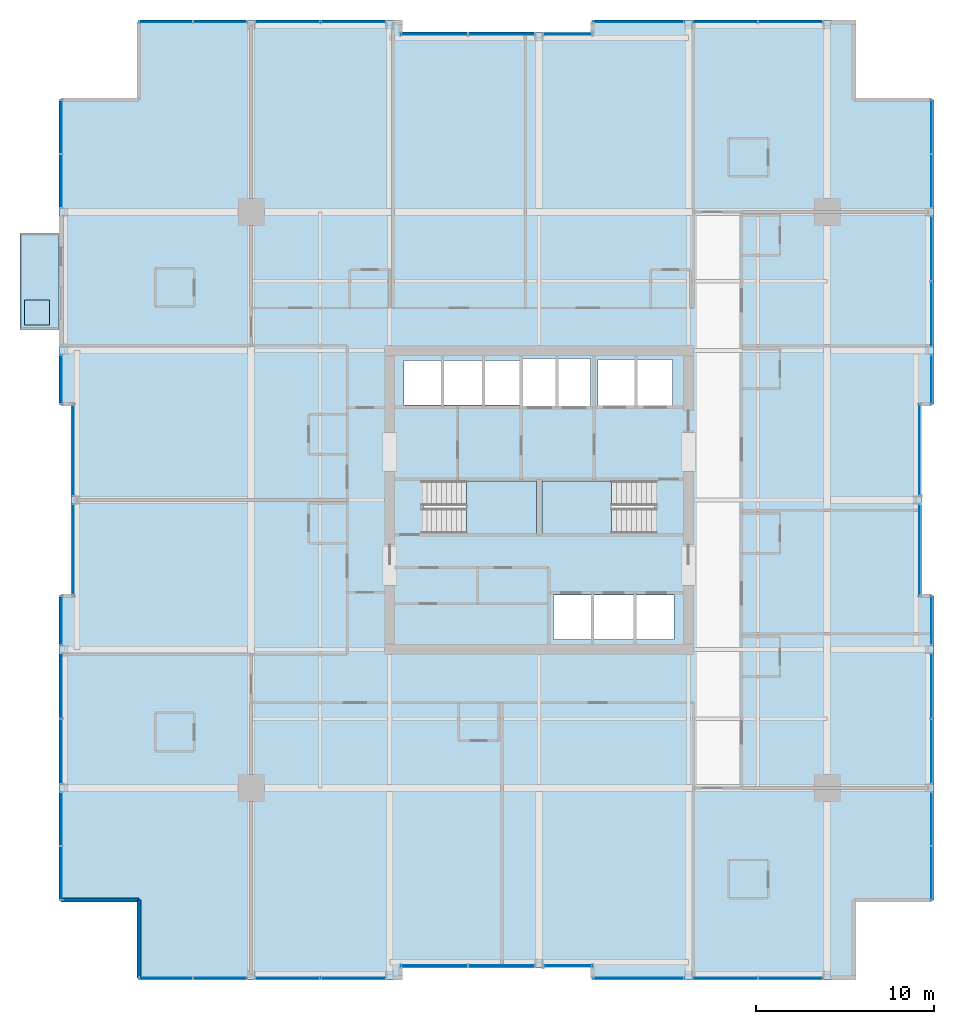
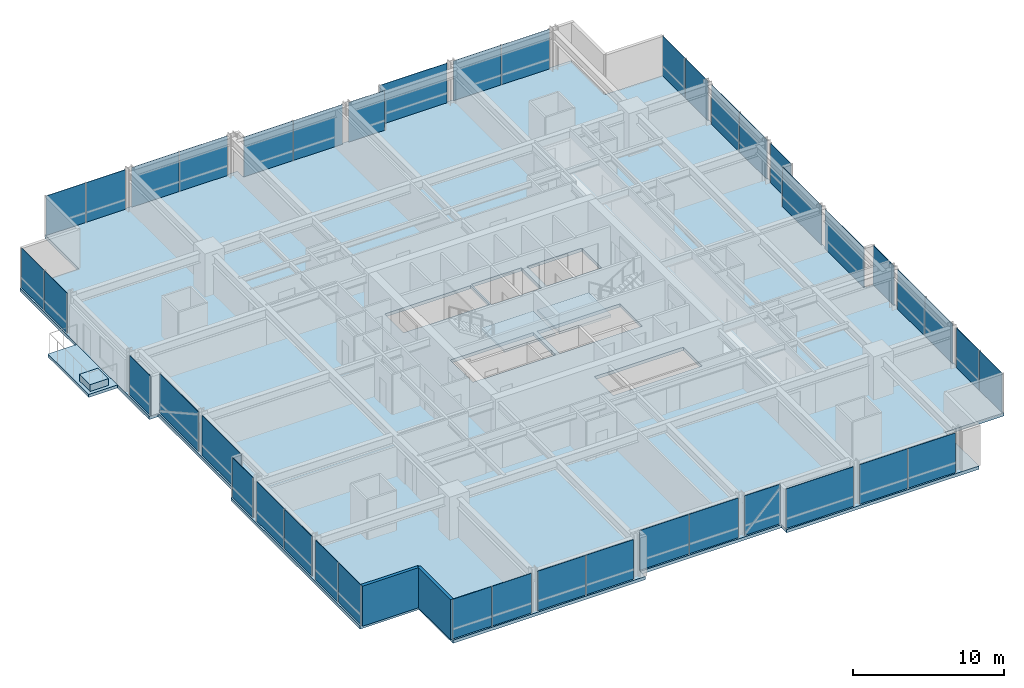
# One storey, part 27 of 34: 42 plates, 5 slabs, 2 walls, 29 elements without a shape of their own.
"""IFC4 building model written with IfcOpenShell, lengths in metres."""

import ifcopenshell
import ifcopenshell.guid

model = None  # the IFC model being written
_history = None  # IfcOwnerHistory: only IFC2X3 demands one
_inside = {}  # id of a spatial element -> (the spatial element, [elements in it])
_under = {}  # id of a project, library or spatial element -> (it, [spatial elements below it])
_declared = {}  # id of a project -> (the project, [libraries it declares])
_typed = {}  # id of a type object -> (the type object, [elements of that type])
_made_of = {}  # id of a material, layer set ... -> (it, [elements and type objects made of it])


def new_model(schema):
    """Start an empty IFC model of exactly this schema.

    Asked for "IFC4X3", IfcOpenShell would pick the latest addendum, in which some entities
    have other attributes; the version numbers below select the first issue.
    IFC2X3 requires an IfcOwnerHistory on every rooted entity: one is made here for all.
    """
    global model, _history
    if schema == "IFC4X3":
        model = ifcopenshell.file(schema_version=(4, 3, 0, 0))
    else:
        model = ifcopenshell.file(schema=schema)
    _inside.clear()
    _under.clear()
    _declared.clear()
    _typed.clear()
    _made_of.clear()
    _history = None
    if model.schema == "IFC2X3":
        org = make("IfcOrganization", Name="unknown")
        user = make(
            "IfcPersonAndOrganization",
            ThePerson=make("IfcPerson", FamilyName="unknown"),
            TheOrganization=org,
        )
        app = make(
            "IfcApplication",
            ApplicationDeveloper=org,
            Version="unknown",
            ApplicationFullName="unknown",
            ApplicationIdentifier="unknown",
        )
        _history = make(
            "IfcOwnerHistory",
            OwningUser=user,
            OwningApplication=app,
            ChangeAction="ADDED",
            CreationDate=0,
        )
    return model


def make(cls, **values):
    """One entity of the class cls with the attributes given. An attribute that is None is left unset."""
    return model.create_entity(
        cls, **{name: value for name, value in values.items() if value is not None}
    )


def rooted(cls, **values):
    """An entity with a GlobalId (a new one), such as an element, a storey or a relation."""
    return make(cls, GlobalId=ifcopenshell.guid.new(), OwnerHistory=_history, **values)


def si_unit(unit_type, name, prefix=None):
    """IfcSIUnit, for example si_unit("LENGTHUNIT", "METRE", prefix="MILLI")."""
    return make("IfcSIUnit", UnitType=unit_type, Prefix=prefix, Name=name)


def assignment(units):
    """IfcUnitAssignment: the units of a project."""
    return None if units is None else make("IfcUnitAssignment", Units=units)


def point(xyz):
    """IfcCartesianPoint."""
    return None if xyz is None else make("IfcCartesianPoint", Coordinates=xyz)


def direction(xyz):
    """IfcDirection."""
    return None if xyz is None else make("IfcDirection", DirectionRatios=xyz)


def frame(location, z_axis=None, x_axis=None):
    """IfcAxis2Placement3D, a coordinate frame: its origin and axes. An axis left out is left unset."""
    return make(
        "IfcAxis2Placement3D",
        Location=point(location),
        Axis=direction(z_axis),
        RefDirection=direction(x_axis),
    )


def frame_2d(location, x_axis=None):
    """IfcAxis2Placement2D, a coordinate frame in the plane: its origin and x axis."""
    return make(
        "IfcAxis2Placement2D", Location=point(location), RefDirection=direction(x_axis)
    )


def origin():
    """The frame at (0, 0, 0) with its axes left unset."""
    return frame((0.0, 0.0, 0.0))


def origin_2d():
    """The frame at (0, 0) in the plane with its x axis left unset."""
    return frame_2d((0.0, 0.0))


def place(relative_to, where):
    """IfcLocalPlacement: puts the frame where relative to a parent placement (None: the world)."""
    return make(
        "IfcLocalPlacement", PlacementRelTo=relative_to, RelativePlacement=where
    )


def context(
    kind, dimensions, precision=None, world=None, true_north=None, identifier=None
):
    """IfcGeometricRepresentationContext, for example the 3D "Model" context."""
    return make(
        "IfcGeometricRepresentationContext",
        ContextIdentifier=identifier,
        ContextType=kind,
        CoordinateSpaceDimension=dimensions,
        Precision=precision,
        WorldCoordinateSystem=world,
        TrueNorth=true_north,
    )


def subcontext(parent, identifier, kind, view, scale=None):
    """IfcGeometricRepresentationSubContext, for example "Body" below "Model"."""
    return make(
        "IfcGeometricRepresentationSubContext",
        ContextIdentifier=identifier,
        ContextType=kind,
        ParentContext=parent,
        TargetScale=scale,
        TargetView=view,
    )


def project(units=None, contexts=None):
    """IfcProject with its units and contexts."""
    return rooted(
        "IfcProject",
        Name="project",
        RepresentationContexts=contexts,
        UnitsInContext=assignment(units),
    )


def spatial(cls, under=None, at=None, **own):
    """A site, building, storey or space (cls), placed at a placement, below another one or the project."""
    s = rooted(cls, ObjectPlacement=at, **own)
    if under is not None:
        _under.setdefault(under.id(), (under, []))[1].append(s)
    return s


def polyline(points):
    """IfcPolyline through the points."""
    return make("IfcPolyline", Points=[point(p) for p in points])


def profile(cls, at=None, kind="AREA", **sizes):
    """A parametric profile (cls). Its sizes go by their IFC names, for example OverallWidth=200.0."""
    return make(cls, ProfileType=kind, Position=at, **sizes)


def rectangle(**sizes):
    """IfcRectangleProfileDef."""
    return profile("IfcRectangleProfileDef", **sizes)


def outline(outer, holes=None, kind="AREA"):
    """IfcArbitraryClosedProfileDef: a profile drawn as a closed curve; with holes, ...WithVoids."""
    if holes is None:
        return make("IfcArbitraryClosedProfileDef", ProfileType=kind, OuterCurve=outer)
    return make(
        "IfcArbitraryProfileDefWithVoids",
        ProfileType=kind,
        OuterCurve=outer,
        InnerCurves=holes,
    )


def extrude(swept, where, along, depth):
    """IfcExtrudedAreaSolid: the profile swept, set in the frame where, extruded along a direction by depth."""
    return make(
        "IfcExtrudedAreaSolid",
        SweptArea=swept,
        Position=where,
        ExtrudedDirection=direction(along),
        Depth=depth,
    )


def shape(context_of_items, identifier, shape_type, items):
    """IfcShapeRepresentation: the items that make up one representation, for example the "Body"."""
    return make(
        "IfcShapeRepresentation",
        ContextOfItems=context_of_items,
        RepresentationIdentifier=identifier,
        RepresentationType=shape_type,
        Items=items,
    )


def material(Name=None, Category=None):
    """IfcMaterial."""
    return make("IfcMaterial", Name=Name, Category=Category)


def layer(
    of_material, thickness, ventilated=None, Name=None, Category=None, Priority=None
):
    """IfcMaterialLayer: one layer of a wall or slab, of a material (None: an air gap)."""
    return make(
        "IfcMaterialLayer",
        Material=of_material,
        LayerThickness=thickness,
        IsVentilated=ventilated,
        Name=Name,
        Category=Category,
        Priority=Priority,
    )


def layer_set(layers, Name=None):
    """IfcMaterialLayerSet."""
    return make("IfcMaterialLayerSet", MaterialLayers=layers, LayerSetName=Name)


def made_of(thing, what):
    """Note that an element or type object is made of a material, layer set ...; save() writes the relation."""
    if what is not None:
        _made_of.setdefault(what.id(), (what, []))[1].append(thing)
    return thing


def type_object(cls, material=None, **own):
    """A type object (cls), such as IfcWallType, which elements share."""
    return made_of(rooted(cls, **own), material)


def element(
    cls,
    number,
    at=None,
    inside=None,
    cuts=None,
    type_object=None,
    material=None,
    context=None,
    identifier="Body",
    shape_type=None,
    held_by="IfcProductDefinitionShape",
    body=None,
    shapes=None,
    **own,
):
    """One element of the class cls, such as IfcWall. Its Tag is "e" and its number.

    at: its placement. inside: the storey or other place that contains it. cuts: it is an
    opening in that element (IfcRelVoidsElement). A single representation is given by context,
    identifier, shape_type and body (its items); several are given by shapes. held_by: the class
    of the entity that holds the representations. save() writes the other relations.
    """
    e = rooted(cls, Tag="e%d" % number, ObjectPlacement=at, **own)
    if body is not None:
        shapes = [shape(context, identifier, shape_type, body)]
    if shapes is not None:
        e.Representation = make(held_by, Representations=shapes)
    if inside is not None:
        _inside.setdefault(inside.id(), (inside, []))[1].append(e)
    if cuts is not None:
        rooted(
            "IfcRelVoidsElement", RelatingBuildingElement=cuts, RelatedOpeningElement=e
        )
    if type_object is not None:
        _typed.setdefault(type_object.id(), (type_object, []))[1].append(e)
    return made_of(e, material)


def aggregate(whole, parts):
    """IfcRelAggregates: a whole, such as a stair, and the parts it consists of."""
    return rooted("IfcRelAggregates", RelatingObject=whole, RelatedObjects=parts)


def save(model, path):
    """Write the relations noted so far, then the file.

    IfcRelAggregates (storeys below a building ...), IfcRelContainedInSpatialStructure (elements
    in a storey), IfcRelDefinesByType, IfcRelAssociatesMaterial and IfcRelDeclares: one each for
    every whole, place, type object, material and project.
    """
    for whole, parts in _under.values():
        aggregate(whole, parts)
    for where, things in _inside.values():
        rooted(
            "IfcRelContainedInSpatialStructure",
            RelatedElements=things,
            RelatingStructure=where,
        )
    for kind, things in _typed.values():
        rooted("IfcRelDefinesByType", RelatedObjects=things, RelatingType=kind)
    for what, things in _made_of.values():
        rooted("IfcRelAssociatesMaterial", RelatedObjects=things, RelatingMaterial=what)
    for by, libraries in _declared.values():
        rooted("IfcRelDeclares", RelatingContext=by, RelatedDefinitions=libraries)
    model.write(path)


model = new_model("IFC4")

# Units and contexts
model_context = context("Model", 3, precision=1e-05, world=origin(), true_north=direction((0.0, 1.0)))
body_context = subcontext(model_context, "Body", "Model", "MODEL_VIEW")
ifc_project = project(units=[si_unit("LENGTHUNIT", "METRE"), si_unit("AREAUNIT", "SQUARE_METRE"), si_unit("VOLUMEUNIT", "CUBIC_METRE"), si_unit("PLANEANGLEUNIT", "RADIAN"), si_unit("MASSUNIT", "GRAM", prefix="KILO")], contexts=[model_context])

# Site, building, storey
site_placement = place(None, origin())
site = spatial("IfcSite", under=ifc_project, at=site_placement, CompositionType="ELEMENT")
building_placement = place(site_placement, origin())
building = spatial("IfcBuilding", under=site, at=building_placement, Name="Drelvath Grand Hotel", CompositionType="ELEMENT")
storey_placement = place(building_placement, frame((0.0, 0.0, 109.300048828125)))
storey = spatial("IfcBuildingStorey", under=building, at=storey_placement, Name="L27", CompositionType="ELEMENT", Elevation=109.300048828125)

# Slabs
ifc_material_1 = material(Name="Concrete f'c 40 MPa", Category="concrete")
ifc_layer_1 = layer(ifc_material_1, 0.239990234375)
ifc_layer_set_1 = layer_set([ifc_layer_1], Name="Concrete f'c 40 MPa")
slab_type_1 = type_object("IfcSlabType", Name="Cantilevered Tree Balcony Slab 240", PredefinedType="FLOOR", material=ifc_layer_set_1)
slab_1_placement = place(storey_placement, frame((0.0, 0.0, -0.239990234375)))
element("IfcSlab", 1, at=slab_1_placement, inside=storey, type_object=slab_type_1, Name="L27 Cantilevered Tree Balcony Slab 1", PredefinedType="FLOOR", context=body_context, shape_type="SweptSolid", body=[
    extrude(outline(polyline([(-29.199951171875, 36.60009765625), (-27.0, 36.60009765625), (-27.0, 42.0), (-29.199951171875, 42.0), (-29.199951171875, 36.60009765625)])), origin(), (0.0, 0.0, 1.0), 0.239990234375),
])
ifc_layer_2 = layer(ifc_material_1, 0.260009765625)
ifc_layer_set_2 = layer_set([ifc_layer_2], Name="Concrete f'c 40 MPa")
slab_type_2 = type_object("IfcSlabType", Name="Composite RC Floor Slab 260", PredefinedType="FLOOR", material=ifc_layer_set_2)
slab_2_placement = place(storey_placement, frame((0.0, 0.0, -0.260009765625)))
element("IfcSlab", 2, at=slab_2_placement, inside=storey, type_object=slab_type_2, Name="L27 Structural Floor Slab", PredefinedType="FLOOR", context=body_context, shape_type="SweptSolid", body=[
    extrude(outline(polyline([(-22.5, 0.0), (-7.800048828125, 0.0), (-7.800048828125, 0.679931640625), (3.0, 0.679931640625), (3.0, 0.0), (17.699951171875, 0.0), (17.699951171875, 4.5), (22.199951171875, 4.5), (22.199951171875, 21.60009765625), (21.52001953125, 21.60009765625), (21.52001953125, 32.39990234375), (22.199951171875, 32.39990234375), (22.199951171875, 49.5), (17.699951171875, 49.5), (17.699951171875, 54.0), (3.0, 54.0), (3.0, 53.320068359375), (-7.800048828125, 53.320068359375), (-7.800048828125, 54.0), (-22.5, 54.0), (-22.5, 49.5), (-27.0, 49.5), (-27.0, 32.39990234375), (-26.320068359375, 32.39990234375), (-26.320068359375, 21.60009765625), (-27.0, 21.60009765625), (-27.0, 4.5), (-22.5, 4.5), (-22.5, 0.0)]), holes=[polyline([(-6.47998046875, 25.1201171875), (-6.47998046875, 28.080078125), (-0.14990234375, 28.080078125), (-0.14990234375, 25.1201171875), (-6.47998046875, 25.1201171875)]), polyline([(0.14990234375, 25.1201171875), (0.14990234375, 28.080078125), (6.47998046875, 28.080078125), (6.47998046875, 25.1201171875), (0.14990234375, 25.1201171875)]), polyline([(0.800048828125, 19.14990234375), (0.800048828125, 21.64990234375), (7.60009765625, 21.64990234375), (7.60009765625, 19.14990234375), (0.800048828125, 19.14990234375)]), polyline([(-7.60009765625, 32.35009765625), (-7.60009765625, 34.85009765625), (-1.02001953125, 34.85009765625), (-1.02001953125, 32.35009765625), (-7.60009765625, 32.35009765625)]), polyline([(-0.89990234375, 32.25), (-0.89990234375, 34.949951171875), (2.89990234375, 34.949951171875), (2.89990234375, 32.25), (-0.89990234375, 32.25)]), polyline([(3.300048828125, 32.300048828125), (3.300048828125, 34.89990234375), (7.5, 34.89990234375), (7.5, 32.300048828125), (3.300048828125, 32.300048828125)])]), origin(), (0.0, 0.0, 1.0), 0.260009765625),
])

# Stair, slab
ifc_material_2 = material(Name="Concrete C40/50", Category="concrete")
stair_type = type_object("IfcStairType", Name="Dogleg Exit Stair W1400-R175.0", PredefinedType="HALF_TURN_STAIR", material=ifc_material_2)
stair_1_placement = place(storey_placement, origin())
stair_1 = element("IfcStair", 3, at=stair_1_placement, inside=storey, type_object=stair_type, Name="L27 Core Exit Stair ST-1", PredefinedType="HALF_TURN_STAIR")
ifc_layer_3 = layer(ifc_material_2, 0.199951171875)
ifc_layer_set_3 = layer_set([ifc_layer_3], Name="Concrete C40/50")
slab_type_3 = type_object("IfcSlabType", Name="Concrete Stair Landing Slab 200", PredefinedType="LANDING", material=ifc_layer_set_3)
slab_3_placement = place(storey_placement, frame((0.0, 0.0, 1.550048828125)))
slab_3 = element("IfcSlab", 4, at=slab_3_placement, type_object=slab_type_3, Name="ST-1 landing 1", PredefinedType="LANDING", context=body_context, shape_type="SweptSolid", body=[
    extrude(outline(polyline([(-4.080078125, 25.1201171875), (-0.14990234375, 25.1201171875), (-0.14990234375, 28.080078125), (-4.080078125, 28.080078125), (-4.080078125, 25.1201171875)])), origin(), (0.0, 0.0, 1.0), 0.199951171875),
])
aggregate(stair_1, [slab_3])

stair_2_placement = place(storey_placement, origin())
stair_2 = element("IfcStair", 5, at=stair_2_placement, inside=storey, type_object=stair_type, Name="L27 Core Exit Stair ST-2", PredefinedType="HALF_TURN_STAIR")
slab_4_placement = place(storey_placement, frame((0.0, 0.0, 1.550048828125)))
slab_4 = element("IfcSlab", 6, at=slab_4_placement, type_object=slab_type_3, Name="ST-2 landing 1", PredefinedType="LANDING", context=body_context, shape_type="SweptSolid", body=[
    extrude(outline(polyline([(4.080078125, 28.080078125), (0.14990234375, 28.080078125), (0.14990234375, 25.1201171875), (4.080078125, 25.1201171875), (4.080078125, 28.080078125)])), origin(), (0.0, 0.0, 1.0), 0.199951171875),
])
aggregate(stair_2, [slab_4])

# Curtain wall, plates
ifc_material_3 = material(Name="Champagne Bronze Anodised Aluminium Frame", Category="aluminium")
ifc_layer_4 = layer(ifc_material_3, 0.199951171875)
ifc_layer_set_4 = layer_set([ifc_layer_4], Name="Champagne Bronze Anodised Aluminium Frame")
curtain_wall_type = type_object("IfcCurtainWallType", Name="Stick Curtain Wall CW-03 Champagne Bronze Mid-Rise", PredefinedType="NOTDEFINED", material=ifc_layer_set_4)
curtain_wall_1_placement = place(storey_placement, origin())
curtain_wall_1 = element("IfcCurtainWall", 7, at=curtain_wall_1_placement, inside=storey, type_object=curtain_wall_type, Name="L27 CW-03 Curtain Wall CW03-L27-WS1", PredefinedType="NOTDEFINED")
ifc_material_4 = material(Name="Low-E Triple Silver Vision Glass Neutral", Category="glass")
ifc_layer_5 = layer(ifc_material_4, 0.035888671875)
ifc_layer_set_5 = layer_set([ifc_layer_5], Name="Low-E Triple Silver Vision Glass Neutral")
plate_type = type_object("IfcPlateType", Name="Curtain Wall Vision Panel CW-03 36mm", PredefinedType="CURTAIN_PANEL", material=ifc_layer_set_5)
plate_1_placement = place(storey_placement, frame((-26.8798828125, 6.02001953125, 0.02001953125), z_axis=(0.0, 0.0, 1.0), x_axis=(0.0, 1.0, 0.0)))
plate_1 = element("IfcPlate", 8, at=plate_1_placement, type_object=plate_type, Name="CW03-L27-WS1 Glazed Panel 1", PredefinedType="CURTAIN_PANEL", context=body_context, shape_type="SweptSolid", body=[
    extrude(rectangle(XDim=3.000244140625, YDim=0.035888671875, at=origin_2d()), origin(), (0.0, 0.0, 1.0), 3.199951171875),
])
plate_2_placement = place(storey_placement, frame((-26.8798828125, 9.060302734375, 0.02001953125), z_axis=(0.0, 0.0, 1.0), x_axis=(0.0, 1.0, 0.0)))
plate_2 = element("IfcPlate", 9, at=plate_2_placement, type_object=plate_type, Name="CW03-L27-WS1 Glazed Panel 2", PredefinedType="CURTAIN_PANEL", context=body_context, shape_type="SweptSolid", body=[
    extrude(rectangle(XDim=3.000244140625, YDim=0.035888671875, at=origin_2d()), origin(), (0.0, 0.0, 1.0), 3.199951171875),
])
aggregate(curtain_wall_1, [plate_1, plate_2])

curtain_wall_2_placement = place(storey_placement, origin())
curtain_wall_2 = element("IfcCurtainWall", 10, at=curtain_wall_2_placement, inside=storey, type_object=curtain_wall_type, Name="L27 CW-03 Curtain Wall CW03-L27-WS2", PredefinedType="NOTDEFINED")
plate_3_placement = place(storey_placement, frame((-26.8798828125, 12.85986328125, 0.02001953125), z_axis=(0.0, 0.0, 1.0), x_axis=(0.0, 1.0, 0.0)))
plate_3 = element("IfcPlate", 11, at=plate_3_placement, type_object=plate_type, Name="CW03-L27-WS2 Glazed Panel 1", PredefinedType="CURTAIN_PANEL", context=body_context, shape_type="SweptSolid", body=[
    extrude(rectangle(XDim=3.640380859375, YDim=0.035888671875, at=origin_2d()), origin(), (0.0, 0.0, 1.0), 3.199951171875),
])
plate_4_placement = place(storey_placement, frame((-26.8798828125, 16.540283203125, 0.02001953125), z_axis=(0.0, 0.0, 1.0), x_axis=(0.0, 1.0, 0.0)))
plate_4 = element("IfcPlate", 12, at=plate_4_placement, type_object=plate_type, Name="CW03-L27-WS2 Glazed Panel 2", PredefinedType="CURTAIN_PANEL", context=body_context, shape_type="SweptSolid", body=[
    extrude(rectangle(XDim=3.640380859375, YDim=0.035888671875, at=origin_2d()), origin(), (0.0, 0.0, 1.0), 3.199951171875),
])
aggregate(curtain_wall_2, [plate_3, plate_4])

# Curtain wall, plate
curtain_wall_3_placement = place(storey_placement, origin())
curtain_wall_3 = element("IfcCurtainWall", 13, at=curtain_wall_3_placement, inside=storey, type_object=curtain_wall_type, Name="L27 CW-03 Curtain Wall CW03-L27-WS3", PredefinedType="NOTDEFINED")
plate_5_placement = place(storey_placement, frame((-26.8798828125, 20.209716796875, 0.02001953125), z_axis=(0.0, 0.0, 1.0), x_axis=(0.0, 1.0, 0.0)))
plate_5 = element("IfcPlate", 14, at=plate_5_placement, type_object=plate_type, Name="CW03-L27-WS3 Glazed Panel 1", PredefinedType="CURTAIN_PANEL", context=body_context, shape_type="SweptSolid", body=[
    extrude(rectangle(XDim=2.740478515625, YDim=0.035888671875, at=origin_2d()), origin(), (0.0, 0.0, 1.0), 3.199951171875),
])
aggregate(curtain_wall_3, [plate_5])

curtain_wall_4_placement = place(storey_placement, origin())
curtain_wall_4 = element("IfcCurtainWall", 15, at=curtain_wall_4_placement, inside=storey, type_object=curtain_wall_type, Name="L27 CW-03 Curtain Wall CW03-L27-WM1", PredefinedType="NOTDEFINED")
plate_6_placement = place(storey_placement, frame((-26.199951171875, 24.190185546875, 0.02001953125), z_axis=(0.0, 0.0, 1.0), x_axis=(0.0, 1.0, 0.0)))
plate_6 = element("IfcPlate", 16, at=plate_6_placement, type_object=plate_type, Name="CW03-L27-WM1 Glazed Panel 1", PredefinedType="CURTAIN_PANEL", context=body_context, shape_type="SweptSolid", body=[
    extrude(rectangle(XDim=5.140380859375, YDim=0.035888671875, at=origin_2d()), origin(), (0.0, 0.0, 1.0), 3.199951171875),
])
aggregate(curtain_wall_4, [plate_6])

curtain_wall_5_placement = place(storey_placement, origin())
curtain_wall_5 = element("IfcCurtainWall", 17, at=curtain_wall_5_placement, inside=storey, type_object=curtain_wall_type, Name="L27 CW-03 Curtain Wall CW03-L27-WM2", PredefinedType="NOTDEFINED")
plate_7_placement = place(storey_placement, frame((-26.199951171875, 29.809814453125, 0.02001953125), z_axis=(0.0, 0.0, 1.0), x_axis=(0.0, 1.0, 0.0)))
plate_7 = element("IfcPlate", 18, at=plate_7_placement, type_object=plate_type, Name="CW03-L27-WM2 Glazed Panel 1", PredefinedType="CURTAIN_PANEL", context=body_context, shape_type="SweptSolid", body=[
    extrude(rectangle(XDim=5.140380859375, YDim=0.035888671875, at=origin_2d()), origin(), (0.0, 0.0, 1.0), 3.199951171875),
])
aggregate(curtain_wall_5, [plate_7])

curtain_wall_6_placement = place(storey_placement, origin())
curtain_wall_6 = element("IfcCurtainWall", 19, at=curtain_wall_6_placement, inside=storey, type_object=curtain_wall_type, Name="L27 CW-03 Curtain Wall CW03-L27-WN1", PredefinedType="NOTDEFINED")
plate_8_placement = place(storey_placement, frame((-26.8798828125, 33.790283203125, 0.02001953125), z_axis=(0.0, 0.0, 1.0), x_axis=(0.0, 1.0, 0.0)))
plate_8 = element("IfcPlate", 20, at=plate_8_placement, type_object=plate_type, Name="CW03-L27-WN1 Glazed Panel 1", PredefinedType="CURTAIN_PANEL", context=body_context, shape_type="SweptSolid", body=[
    extrude(rectangle(XDim=2.740478515625, YDim=0.035888671875, at=origin_2d()), origin(), (0.0, 0.0, 1.0), 3.199951171875),
])
aggregate(curtain_wall_6, [plate_8])

# Curtain wall, plates
curtain_wall_7_placement = place(storey_placement, origin())
curtain_wall_7 = element("IfcCurtainWall", 21, at=curtain_wall_7_placement, inside=storey, type_object=curtain_wall_type, Name="L27 CW-03 Curtain Wall CW03-L27-WN3", PredefinedType="NOTDEFINED")
plate_9_placement = place(storey_placement, frame((-26.8798828125, 44.939697265625, 0.02001953125), z_axis=(0.0, 0.0, 1.0), x_axis=(0.0, 1.0, 0.0)))
plate_9 = element("IfcPlate", 22, at=plate_9_placement, type_object=plate_type, Name="CW03-L27-WN3 Glazed Panel 1", PredefinedType="CURTAIN_PANEL", context=body_context, shape_type="SweptSolid", body=[
    extrude(rectangle(XDim=3.000244140625, YDim=0.035888671875, at=origin_2d()), origin(), (0.0, 0.0, 1.0), 3.199951171875),
])
plate_10_placement = place(storey_placement, frame((-26.8798828125, 47.97998046875, 0.02001953125), z_axis=(0.0, 0.0, 1.0), x_axis=(0.0, 1.0, 0.0)))
plate_10 = element("IfcPlate", 23, at=plate_10_placement, type_object=plate_type, Name="CW03-L27-WN3 Glazed Panel 2", PredefinedType="CURTAIN_PANEL", context=body_context, shape_type="SweptSolid", body=[
    extrude(rectangle(XDim=3.000244140625, YDim=0.035888671875, at=origin_2d()), origin(), (0.0, 0.0, 1.0), 3.199951171875),
])
aggregate(curtain_wall_7, [plate_9, plate_10])

# Curtain wall, plate
curtain_wall_8_placement = place(storey_placement, origin())
curtain_wall_8 = element("IfcCurtainWall", 24, at=curtain_wall_8_placement, inside=storey, type_object=curtain_wall_type, Name="L27 CW-03 Curtain Wall CW03-L27-EN1", PredefinedType="NOTDEFINED")
plate_11_placement = place(storey_placement, frame((22.080078125, 33.790283203125, 0.02001953125), z_axis=(0.0, 0.0, 1.0), x_axis=(0.0, -1.0, 0.0)))
plate_11 = element("IfcPlate", 25, at=plate_11_placement, type_object=plate_type, Name="CW03-L27-EN1 Glazed Panel 1", PredefinedType="CURTAIN_PANEL", context=body_context, shape_type="SweptSolid", body=[
    extrude(rectangle(XDim=2.740478515625, YDim=0.035888671875, at=origin_2d()), origin(), (0.0, 0.0, 1.0), 3.199951171875),
])
aggregate(curtain_wall_8, [plate_11])

# Curtain wall, plates
curtain_wall_9_placement = place(storey_placement, origin())
curtain_wall_9 = element("IfcCurtainWall", 26, at=curtain_wall_9_placement, inside=storey, type_object=curtain_wall_type, Name="L27 CW-03 Curtain Wall CW03-L27-EN2", PredefinedType="NOTDEFINED")
plate_12_placement = place(storey_placement, frame((22.080078125, 41.14013671875, 0.02001953125), z_axis=(0.0, 0.0, 1.0), x_axis=(0.0, -1.0, 0.0)))
plate_12 = element("IfcPlate", 27, at=plate_12_placement, type_object=plate_type, Name="CW03-L27-EN2 Glazed Panel 1", PredefinedType="CURTAIN_PANEL", context=body_context, shape_type="SweptSolid", body=[
    extrude(rectangle(XDim=3.640380859375, YDim=0.035888671875, at=origin_2d()), origin(), (0.0, 0.0, 1.0), 3.199951171875),
])
plate_13_placement = place(storey_placement, frame((22.080078125, 37.459716796875, 0.02001953125), z_axis=(0.0, 0.0, 1.0), x_axis=(0.0, -1.0, 0.0)))
plate_13 = element("IfcPlate", 28, at=plate_13_placement, type_object=plate_type, Name="CW03-L27-EN2 Glazed Panel 2", PredefinedType="CURTAIN_PANEL", context=body_context, shape_type="SweptSolid", body=[
    extrude(rectangle(XDim=3.640380859375, YDim=0.035888671875, at=origin_2d()), origin(), (0.0, 0.0, 1.0), 3.199951171875),
])
aggregate(curtain_wall_9, [plate_12, plate_13])

curtain_wall_10_placement = place(storey_placement, origin())
curtain_wall_10 = element("IfcCurtainWall", 29, at=curtain_wall_10_placement, inside=storey, type_object=curtain_wall_type, Name="L27 CW-03 Curtain Wall CW03-L27-EN3", PredefinedType="NOTDEFINED")
plate_14_placement = place(storey_placement, frame((22.080078125, 47.97998046875, 0.02001953125), z_axis=(0.0, 0.0, 1.0), x_axis=(0.0, -1.0, 0.0)))
plate_14 = element("IfcPlate", 30, at=plate_14_placement, type_object=plate_type, Name="CW03-L27-EN3 Glazed Panel 1", PredefinedType="CURTAIN_PANEL", context=body_context, shape_type="SweptSolid", body=[
    extrude(rectangle(XDim=3.000244140625, YDim=0.035888671875, at=origin_2d()), origin(), (0.0, 0.0, 1.0), 3.199951171875),
])
plate_15_placement = place(storey_placement, frame((22.080078125, 44.939697265625, 0.02001953125), z_axis=(0.0, 0.0, 1.0), x_axis=(0.0, -1.0, 0.0)))
plate_15 = element("IfcPlate", 31, at=plate_15_placement, type_object=plate_type, Name="CW03-L27-EN3 Glazed Panel 2", PredefinedType="CURTAIN_PANEL", context=body_context, shape_type="SweptSolid", body=[
    extrude(rectangle(XDim=3.000244140625, YDim=0.035888671875, at=origin_2d()), origin(), (0.0, 0.0, 1.0), 3.199951171875),
])
aggregate(curtain_wall_10, [plate_14, plate_15])

# Curtain wall, plate
curtain_wall_11_placement = place(storey_placement, origin())
curtain_wall_11 = element("IfcCurtainWall", 32, at=curtain_wall_11_placement, inside=storey, type_object=curtain_wall_type, Name="L27 CW-03 Curtain Wall CW03-L27-EM1", PredefinedType="NOTDEFINED")
plate_16_placement = place(storey_placement, frame((21.39990234375, 24.190185546875, 0.02001953125), z_axis=(0.0, 0.0, 1.0), x_axis=(0.0, -1.0, 0.0)))
plate_16 = element("IfcPlate", 33, at=plate_16_placement, type_object=plate_type, Name="CW03-L27-EM1 Glazed Panel 1", PredefinedType="CURTAIN_PANEL", context=body_context, shape_type="SweptSolid", body=[
    extrude(rectangle(XDim=5.140380859375, YDim=0.035888671875, at=origin_2d()), origin(), (0.0, 0.0, 1.0), 3.199951171875),
])
aggregate(curtain_wall_11, [plate_16])

curtain_wall_12_placement = place(storey_placement, origin())
curtain_wall_12 = element("IfcCurtainWall", 34, at=curtain_wall_12_placement, inside=storey, type_object=curtain_wall_type, Name="L27 CW-03 Curtain Wall CW03-L27-EM2", PredefinedType="NOTDEFINED")
plate_17_placement = place(storey_placement, frame((21.39990234375, 29.809814453125, 0.02001953125), z_axis=(0.0, 0.0, 1.0), x_axis=(0.0, -1.0, 0.0)))
plate_17 = element("IfcPlate", 35, at=plate_17_placement, type_object=plate_type, Name="CW03-L27-EM2 Glazed Panel 1", PredefinedType="CURTAIN_PANEL", context=body_context, shape_type="SweptSolid", body=[
    extrude(rectangle(XDim=5.140380859375, YDim=0.035888671875, at=origin_2d()), origin(), (0.0, 0.0, 1.0), 3.199951171875),
])
aggregate(curtain_wall_12, [plate_17])

# Curtain wall, plates
curtain_wall_13_placement = place(storey_placement, origin())
curtain_wall_13 = element("IfcCurtainWall", 36, at=curtain_wall_13_placement, inside=storey, type_object=curtain_wall_type, Name="L27 CW-03 Curtain Wall CW03-L27-ES1", PredefinedType="NOTDEFINED")
plate_18_placement = place(storey_placement, frame((22.080078125, 9.060302734375, 0.02001953125), z_axis=(0.0, 0.0, 1.0), x_axis=(0.0, -1.0, 0.0)))
plate_18 = element("IfcPlate", 37, at=plate_18_placement, type_object=plate_type, Name="CW03-L27-ES1 Glazed Panel 1", PredefinedType="CURTAIN_PANEL", context=body_context, shape_type="SweptSolid", body=[
    extrude(rectangle(XDim=3.000244140625, YDim=0.035888671875, at=origin_2d()), origin(), (0.0, 0.0, 1.0), 3.199951171875),
])
plate_19_placement = place(storey_placement, frame((22.080078125, 6.02001953125, 0.02001953125), z_axis=(0.0, 0.0, 1.0), x_axis=(0.0, -1.0, 0.0)))
plate_19 = element("IfcPlate", 38, at=plate_19_placement, type_object=plate_type, Name="CW03-L27-ES1 Glazed Panel 2", PredefinedType="CURTAIN_PANEL", context=body_context, shape_type="SweptSolid", body=[
    extrude(rectangle(XDim=3.000244140625, YDim=0.035888671875, at=origin_2d()), origin(), (0.0, 0.0, 1.0), 3.199951171875),
])
aggregate(curtain_wall_13, [plate_18, plate_19])

curtain_wall_14_placement = place(storey_placement, origin())
curtain_wall_14 = element("IfcCurtainWall", 39, at=curtain_wall_14_placement, inside=storey, type_object=curtain_wall_type, Name="L27 CW-03 Curtain Wall CW03-L27-ES2", PredefinedType="NOTDEFINED")
plate_20_placement = place(storey_placement, frame((22.080078125, 16.540283203125, 0.02001953125), z_axis=(0.0, 0.0, 1.0), x_axis=(0.0, -1.0, 0.0)))
plate_20 = element("IfcPlate", 40, at=plate_20_placement, type_object=plate_type, Name="CW03-L27-ES2 Glazed Panel 1", PredefinedType="CURTAIN_PANEL", context=body_context, shape_type="SweptSolid", body=[
    extrude(rectangle(XDim=3.640380859375, YDim=0.035888671875, at=origin_2d()), origin(), (0.0, 0.0, 1.0), 3.199951171875),
])
plate_21_placement = place(storey_placement, frame((22.080078125, 12.85986328125, 0.02001953125), z_axis=(0.0, 0.0, 1.0), x_axis=(0.0, -1.0, 0.0)))
plate_21 = element("IfcPlate", 41, at=plate_21_placement, type_object=plate_type, Name="CW03-L27-ES2 Glazed Panel 2", PredefinedType="CURTAIN_PANEL", context=body_context, shape_type="SweptSolid", body=[
    extrude(rectangle(XDim=3.640380859375, YDim=0.035888671875, at=origin_2d()), origin(), (0.0, 0.0, 1.0), 3.199951171875),
])
aggregate(curtain_wall_14, [plate_20, plate_21])

# Curtain wall, plate
curtain_wall_15_placement = place(storey_placement, origin())
curtain_wall_15 = element("IfcCurtainWall", 42, at=curtain_wall_15_placement, inside=storey, type_object=curtain_wall_type, Name="L27 CW-03 Curtain Wall CW03-L27-ES3", PredefinedType="NOTDEFINED")
plate_22_placement = place(storey_placement, frame((22.080078125, 20.209716796875, 0.02001953125), z_axis=(0.0, 0.0, 1.0), x_axis=(0.0, -1.0, 0.0)))
plate_22 = element("IfcPlate", 43, at=plate_22_placement, type_object=plate_type, Name="CW03-L27-ES3 Glazed Panel 1", PredefinedType="CURTAIN_PANEL", context=body_context, shape_type="SweptSolid", body=[
    extrude(rectangle(XDim=2.740478515625, YDim=0.035888671875, at=origin_2d()), origin(), (0.0, 0.0, 1.0), 3.199951171875),
])
aggregate(curtain_wall_15, [plate_22])

# Curtain wall, plates
curtain_wall_16_placement = place(storey_placement, origin())
curtain_wall_16 = element("IfcCurtainWall", 44, at=curtain_wall_16_placement, inside=storey, type_object=curtain_wall_type, Name="L27 CW-03 Curtain Wall CW03-L27-NW1", PredefinedType="NOTDEFINED")
plate_23_placement = place(storey_placement, frame((-20.97998046875, 53.8798828125, 0.02001953125), z_axis=(0.0, 0.0, 1.0), x_axis=(1.0, 0.0, 0.0)))
plate_23 = element("IfcPlate", 45, at=plate_23_placement, type_object=plate_type, Name="CW03-L27-NW1 Glazed Panel 1", PredefinedType="CURTAIN_PANEL", context=body_context, shape_type="SweptSolid", body=[
    extrude(rectangle(XDim=3.000244140625, YDim=0.035888671875, at=origin_2d()), origin(), (0.0, 0.0, 1.0), 3.199951171875),
])
plate_24_placement = place(storey_placement, frame((-17.939697265625, 53.8798828125, 0.02001953125), z_axis=(0.0, 0.0, 1.0), x_axis=(1.0, 0.0, 0.0)))
plate_24 = element("IfcPlate", 46, at=plate_24_placement, type_object=plate_type, Name="CW03-L27-NW1 Glazed Panel 2", PredefinedType="CURTAIN_PANEL", context=body_context, shape_type="SweptSolid", body=[
    extrude(rectangle(XDim=3.000244140625, YDim=0.035888671875, at=origin_2d()), origin(), (0.0, 0.0, 1.0), 3.199951171875),
])
aggregate(curtain_wall_16, [plate_23, plate_24])

curtain_wall_17_placement = place(storey_placement, origin())
curtain_wall_17 = element("IfcCurtainWall", 47, at=curtain_wall_17_placement, inside=storey, type_object=curtain_wall_type, Name="L27 CW-03 Curtain Wall CW03-L27-NW2", PredefinedType="NOTDEFINED")
plate_25_placement = place(storey_placement, frame((-14.14013671875, 53.8798828125, 0.02001953125), z_axis=(0.0, 0.0, 1.0), x_axis=(1.0, 0.0, 0.0)))
plate_25 = element("IfcPlate", 48, at=plate_25_placement, type_object=plate_type, Name="CW03-L27-NW2 Glazed Panel 1", PredefinedType="CURTAIN_PANEL", context=body_context, shape_type="SweptSolid", body=[
    extrude(rectangle(XDim=3.640380859375, YDim=0.035888671875, at=origin_2d()), origin(), (0.0, 0.0, 1.0), 3.199951171875),
])
plate_26_placement = place(storey_placement, frame((-10.459716796875, 53.8798828125, 0.02001953125), z_axis=(0.0, 0.0, 1.0), x_axis=(1.0, 0.0, 0.0)))
plate_26 = element("IfcPlate", 49, at=plate_26_placement, type_object=plate_type, Name="CW03-L27-NW2 Glazed Panel 2", PredefinedType="CURTAIN_PANEL", context=body_context, shape_type="SweptSolid", body=[
    extrude(rectangle(XDim=3.640380859375, YDim=0.035888671875, at=origin_2d()), origin(), (0.0, 0.0, 1.0), 3.199951171875),
])
aggregate(curtain_wall_17, [plate_25, plate_26])

curtain_wall_18_placement = place(storey_placement, origin())
curtain_wall_18 = element("IfcCurtainWall", 50, at=curtain_wall_18_placement, inside=storey, type_object=curtain_wall_type, Name="L27 CW-03 Curtain Wall CW03-L27-NM1", PredefinedType="NOTDEFINED")
plate_27_placement = place(storey_placement, frame((-5.90478515625, 53.199951171875, 0.02001953125), z_axis=(0.0, 0.0, 1.0), x_axis=(1.0, 0.0, 0.0)))
plate_27 = element("IfcPlate", 51, at=plate_27_placement, type_object=plate_type, Name="CW03-L27-NM1 Glazed Panel 1", PredefinedType="CURTAIN_PANEL", context=body_context, shape_type="SweptSolid", body=[
    extrude(rectangle(XDim=3.750244140625, YDim=0.035888671875, at=origin_2d()), origin(), (0.0, 0.0, 1.0), 3.199951171875),
])
plate_28_placement = place(storey_placement, frame((-2.11474609375, 53.199951171875, 0.02001953125), z_axis=(0.0, 0.0, 1.0), x_axis=(1.0, 0.0, 0.0)))
plate_28 = element("IfcPlate", 52, at=plate_28_placement, type_object=plate_type, Name="CW03-L27-NM1 Glazed Panel 2", PredefinedType="CURTAIN_PANEL", context=body_context, shape_type="SweptSolid", body=[
    extrude(rectangle(XDim=3.750244140625, YDim=0.035888671875, at=origin_2d()), origin(), (0.0, 0.0, 1.0), 3.199951171875),
])
aggregate(curtain_wall_18, [plate_27, plate_28])

# Curtain wall, plate
curtain_wall_19_placement = place(storey_placement, origin())
curtain_wall_19 = element("IfcCurtainWall", 53, at=curtain_wall_19_placement, inside=storey, type_object=curtain_wall_type, Name="L27 CW-03 Curtain Wall CW03-L27-NM2", PredefinedType="NOTDEFINED")
plate_29_placement = place(storey_placement, frame((1.60986328125, 53.199951171875, 0.02001953125), z_axis=(0.0, 0.0, 1.0), x_axis=(1.0, 0.0, 0.0)))
plate_29 = element("IfcPlate", 54, at=plate_29_placement, type_object=plate_type, Name="CW03-L27-NM2 Glazed Panel 1", PredefinedType="CURTAIN_PANEL", context=body_context, shape_type="SweptSolid", body=[
    extrude(rectangle(XDim=2.740478515625, YDim=0.035888671875, at=origin_2d()), origin(), (0.0, 0.0, 1.0), 3.199951171875),
])
aggregate(curtain_wall_19, [plate_29])

curtain_wall_20_placement = place(storey_placement, origin())
curtain_wall_20 = element("IfcCurtainWall", 55, at=curtain_wall_20_placement, inside=storey, type_object=curtain_wall_type, Name="L27 CW-03 Curtain Wall CW03-L27-NE1", PredefinedType="NOTDEFINED")
plate_30_placement = place(storey_placement, frame((5.590087890625, 53.8798828125, 0.02001953125), z_axis=(0.0, 0.0, 1.0), x_axis=(1.0, 0.0, 0.0)))
plate_30 = element("IfcPlate", 56, at=plate_30_placement, type_object=plate_type, Name="CW03-L27-NE1 Glazed Panel 1", PredefinedType="CURTAIN_PANEL", context=body_context, shape_type="SweptSolid", body=[
    extrude(rectangle(XDim=5.140380859375, YDim=0.035888671875, at=origin_2d()), origin(), (0.0, 0.0, 1.0), 3.199951171875),
])
aggregate(curtain_wall_20, [plate_30])

# Curtain wall, plates
curtain_wall_21_placement = place(storey_placement, origin())
curtain_wall_21 = element("IfcCurtainWall", 57, at=curtain_wall_21_placement, inside=storey, type_object=curtain_wall_type, Name="L27 CW-03 Curtain Wall CW03-L27-NE2", PredefinedType="NOTDEFINED")
plate_31_placement = place(storey_placement, frame((10.459716796875, 53.8798828125, 0.02001953125), z_axis=(0.0, 0.0, 1.0), x_axis=(1.0, 0.0, 0.0)))
plate_31 = element("IfcPlate", 58, at=plate_31_placement, type_object=plate_type, Name="CW03-L27-NE2 Glazed Panel 1", PredefinedType="CURTAIN_PANEL", context=body_context, shape_type="SweptSolid", body=[
    extrude(rectangle(XDim=3.640380859375, YDim=0.035888671875, at=origin_2d()), origin(), (0.0, 0.0, 1.0), 3.199951171875),
])
plate_32_placement = place(storey_placement, frame((14.14013671875, 53.8798828125, 0.02001953125), z_axis=(0.0, 0.0, 1.0), x_axis=(1.0, 0.0, 0.0)))
plate_32 = element("IfcPlate", 59, at=plate_32_placement, type_object=plate_type, Name="CW03-L27-NE2 Glazed Panel 2", PredefinedType="CURTAIN_PANEL", context=body_context, shape_type="SweptSolid", body=[
    extrude(rectangle(XDim=3.640380859375, YDim=0.035888671875, at=origin_2d()), origin(), (0.0, 0.0, 1.0), 3.199951171875),
])
aggregate(curtain_wall_21, [plate_31, plate_32])

# Curtain wall, plate
curtain_wall_22_placement = place(storey_placement, origin())
curtain_wall_22 = element("IfcCurtainWall", 60, at=curtain_wall_22_placement, inside=storey, type_object=curtain_wall_type, Name="L27 CW-03 Curtain Wall CW03-L27-SE1", PredefinedType="NOTDEFINED")
plate_33_placement = place(storey_placement, frame((5.590087890625, 0.1201171875, 0.02001953125), z_axis=(0.0, 0.0, 1.0), x_axis=(-1.0, 0.0, 0.0)))
plate_33 = element("IfcPlate", 61, at=plate_33_placement, type_object=plate_type, Name="CW03-L27-SE1 Glazed Panel 1", PredefinedType="CURTAIN_PANEL", context=body_context, shape_type="SweptSolid", body=[
    extrude(rectangle(XDim=5.140380859375, YDim=0.035888671875, at=origin_2d()), origin(), (0.0, 0.0, 1.0), 3.199951171875),
])
aggregate(curtain_wall_22, [plate_33])

# Curtain wall, plates
curtain_wall_23_placement = place(storey_placement, origin())
curtain_wall_23 = element("IfcCurtainWall", 62, at=curtain_wall_23_placement, inside=storey, type_object=curtain_wall_type, Name="L27 CW-03 Curtain Wall CW03-L27-SE2", PredefinedType="NOTDEFINED")
plate_34_placement = place(storey_placement, frame((14.14013671875, 0.1201171875, 0.02001953125), z_axis=(0.0, 0.0, 1.0), x_axis=(-1.0, 0.0, 0.0)))
plate_34 = element("IfcPlate", 63, at=plate_34_placement, type_object=plate_type, Name="CW03-L27-SE2 Glazed Panel 1", PredefinedType="CURTAIN_PANEL", context=body_context, shape_type="SweptSolid", body=[
    extrude(rectangle(XDim=3.640380859375, YDim=0.035888671875, at=origin_2d()), origin(), (0.0, 0.0, 1.0), 3.199951171875),
])
plate_35_placement = place(storey_placement, frame((10.459716796875, 0.1201171875, 0.02001953125), z_axis=(0.0, 0.0, 1.0), x_axis=(-1.0, 0.0, 0.0)))
plate_35 = element("IfcPlate", 64, at=plate_35_placement, type_object=plate_type, Name="CW03-L27-SE2 Glazed Panel 2", PredefinedType="CURTAIN_PANEL", context=body_context, shape_type="SweptSolid", body=[
    extrude(rectangle(XDim=3.640380859375, YDim=0.035888671875, at=origin_2d()), origin(), (0.0, 0.0, 1.0), 3.199951171875),
])
aggregate(curtain_wall_23, [plate_34, plate_35])

curtain_wall_24_placement = place(storey_placement, origin())
curtain_wall_24 = element("IfcCurtainWall", 65, at=curtain_wall_24_placement, inside=storey, type_object=curtain_wall_type, Name="L27 CW-03 Curtain Wall CW03-L27-SM1", PredefinedType="NOTDEFINED")
plate_36_placement = place(storey_placement, frame((-2.11474609375, 0.800048828125, 0.02001953125), z_axis=(0.0, 0.0, 1.0), x_axis=(-1.0, 0.0, 0.0)))
plate_36 = element("IfcPlate", 66, at=plate_36_placement, type_object=plate_type, Name="CW03-L27-SM1 Glazed Panel 1", PredefinedType="CURTAIN_PANEL", context=body_context, shape_type="SweptSolid", body=[
    extrude(rectangle(XDim=3.750244140625, YDim=0.035888671875, at=origin_2d()), origin(), (0.0, 0.0, 1.0), 3.199951171875),
])
plate_37_placement = place(storey_placement, frame((-5.90478515625, 0.800048828125, 0.02001953125), z_axis=(0.0, 0.0, 1.0), x_axis=(-1.0, 0.0, 0.0)))
plate_37 = element("IfcPlate", 67, at=plate_37_placement, type_object=plate_type, Name="CW03-L27-SM1 Glazed Panel 2", PredefinedType="CURTAIN_PANEL", context=body_context, shape_type="SweptSolid", body=[
    extrude(rectangle(XDim=3.750244140625, YDim=0.035888671875, at=origin_2d()), origin(), (0.0, 0.0, 1.0), 3.199951171875),
])
aggregate(curtain_wall_24, [plate_36, plate_37])

# Curtain wall, plate
curtain_wall_25_placement = place(storey_placement, origin())
curtain_wall_25 = element("IfcCurtainWall", 68, at=curtain_wall_25_placement, inside=storey, type_object=curtain_wall_type, Name="L27 CW-03 Curtain Wall CW03-L27-SM2", PredefinedType="NOTDEFINED")
plate_38_placement = place(storey_placement, frame((1.60986328125, 0.800048828125, 0.02001953125), z_axis=(0.0, 0.0, 1.0), x_axis=(-1.0, 0.0, 0.0)))
plate_38 = element("IfcPlate", 69, at=plate_38_placement, type_object=plate_type, Name="CW03-L27-SM2 Glazed Panel 1", PredefinedType="CURTAIN_PANEL", context=body_context, shape_type="SweptSolid", body=[
    extrude(rectangle(XDim=2.740478515625, YDim=0.035888671875, at=origin_2d()), origin(), (0.0, 0.0, 1.0), 3.199951171875),
])
aggregate(curtain_wall_25, [plate_38])

# Curtain wall, plates
curtain_wall_26_placement = place(storey_placement, origin())
curtain_wall_26 = element("IfcCurtainWall", 70, at=curtain_wall_26_placement, inside=storey, type_object=curtain_wall_type, Name="L27 CW-03 Curtain Wall CW03-L27-SW1", PredefinedType="NOTDEFINED")
plate_39_placement = place(storey_placement, frame((-17.939697265625, 0.1201171875, 0.02001953125), z_axis=(0.0, 0.0, 1.0), x_axis=(-1.0, 0.0, 0.0)))
plate_39 = element("IfcPlate", 71, at=plate_39_placement, type_object=plate_type, Name="CW03-L27-SW1 Glazed Panel 1", PredefinedType="CURTAIN_PANEL", context=body_context, shape_type="SweptSolid", body=[
    extrude(rectangle(XDim=3.000244140625, YDim=0.035888671875, at=origin_2d()), origin(), (0.0, 0.0, 1.0), 3.199951171875),
])
plate_40_placement = place(storey_placement, frame((-20.97998046875, 0.1201171875, 0.02001953125), z_axis=(0.0, 0.0, 1.0), x_axis=(-1.0, 0.0, 0.0)))
plate_40 = element("IfcPlate", 72, at=plate_40_placement, type_object=plate_type, Name="CW03-L27-SW1 Glazed Panel 2", PredefinedType="CURTAIN_PANEL", context=body_context, shape_type="SweptSolid", body=[
    extrude(rectangle(XDim=3.000244140625, YDim=0.035888671875, at=origin_2d()), origin(), (0.0, 0.0, 1.0), 3.199951171875),
])
aggregate(curtain_wall_26, [plate_39, plate_40])

curtain_wall_27_placement = place(storey_placement, origin())
curtain_wall_27 = element("IfcCurtainWall", 73, at=curtain_wall_27_placement, inside=storey, type_object=curtain_wall_type, Name="L27 CW-03 Curtain Wall CW03-L27-SW2", PredefinedType="NOTDEFINED")
plate_41_placement = place(storey_placement, frame((-10.459716796875, 0.1201171875, 0.02001953125), z_axis=(0.0, 0.0, 1.0), x_axis=(-1.0, 0.0, 0.0)))
plate_41 = element("IfcPlate", 74, at=plate_41_placement, type_object=plate_type, Name="CW03-L27-SW2 Glazed Panel 1", PredefinedType="CURTAIN_PANEL", context=body_context, shape_type="SweptSolid", body=[
    extrude(rectangle(XDim=3.640380859375, YDim=0.035888671875, at=origin_2d()), origin(), (0.0, 0.0, 1.0), 3.199951171875),
])
plate_42_placement = place(storey_placement, frame((-14.14013671875, 0.1201171875, 0.02001953125), z_axis=(0.0, 0.0, 1.0), x_axis=(-1.0, 0.0, 0.0)))
plate_42 = element("IfcPlate", 75, at=plate_42_placement, type_object=plate_type, Name="CW03-L27-SW2 Glazed Panel 2", PredefinedType="CURTAIN_PANEL", context=body_context, shape_type="SweptSolid", body=[
    extrude(rectangle(XDim=3.640380859375, YDim=0.035888671875, at=origin_2d()), origin(), (0.0, 0.0, 1.0), 3.199951171875),
])
aggregate(curtain_wall_27, [plate_41, plate_42])

# Slab
ifc_layer_6 = layer(ifc_material_1, 0.550048828125)
ifc_layer_set_6 = layer_set([ifc_layer_6], Name="Concrete f'c 40 MPa")
slab_type_4 = type_object("IfcSlabType", Name="Structural Tree Planter Box 550", PredefinedType="USERDEFINED", material=ifc_layer_set_6)
slab_5_placement = place(storey_placement, origin())
element("IfcSlab", 76, at=slab_5_placement, inside=storey, type_object=slab_type_4, Name="L27 Tree Balcony Structural Planter 1", ObjectType="PLANTER", PredefinedType="USERDEFINED", context=body_context, shape_type="SweptSolid", body=[
    extrude(outline(polyline([(-28.949951171875, 36.85009765625), (-27.550048828125, 36.85009765625), (-27.550048828125, 38.25), (-28.949951171875, 38.25), (-28.949951171875, 36.85009765625)])), origin(), (0.0, 0.0, 1.0), 0.550048828125),
])

# Walls
ifc_material_5 = material(Name="Pale-Metal Insulated Aluminium Spandrel Assembly", Category="aluminium")
ifc_layer_7 = layer(ifc_material_5, 0.239990234375)
ifc_layer_set_7 = layer_set([ifc_layer_7], Name="Pale-Metal Insulated Aluminium Spandrel Assembly")
wall_type = type_object("IfcWallType", Name="Tower Insulated Metal Spandrel Closure Wall 240", PredefinedType="STANDARD", material=ifc_layer_set_7)
for number, where, z_axis, x_axis, name in (
    (77, (-22.5, 0.1201171875, 0.0), (0.0, 0.0, 1.0), (0.0, 1.0, 0.0), "L27 Notched Corner Return Spandrel Wall CSW1"),
    (78, (-22.5, 4.5, 0.0), (0.0, 0.0, 1.0), (-1.0, 0.0, 0.0), "L27 Notched Corner Return Spandrel Wall CSW2"),
):
    element("IfcWall", number, at=place(storey_placement, frame(where, z_axis=z_axis, x_axis=x_axis)), inside=storey, type_object=wall_type, Name=name, PredefinedType="STANDARD", context=body_context, shape_type="SweptSolid", body=[
        extrude(rectangle(XDim=4.3798828125, YDim=0.239990234375, at=frame_2d((2.18994140625, 0.0))), origin(), (0.0, 0.0, 1.0), 3.239990234375),
    ])

save(model, "model.ifc")
